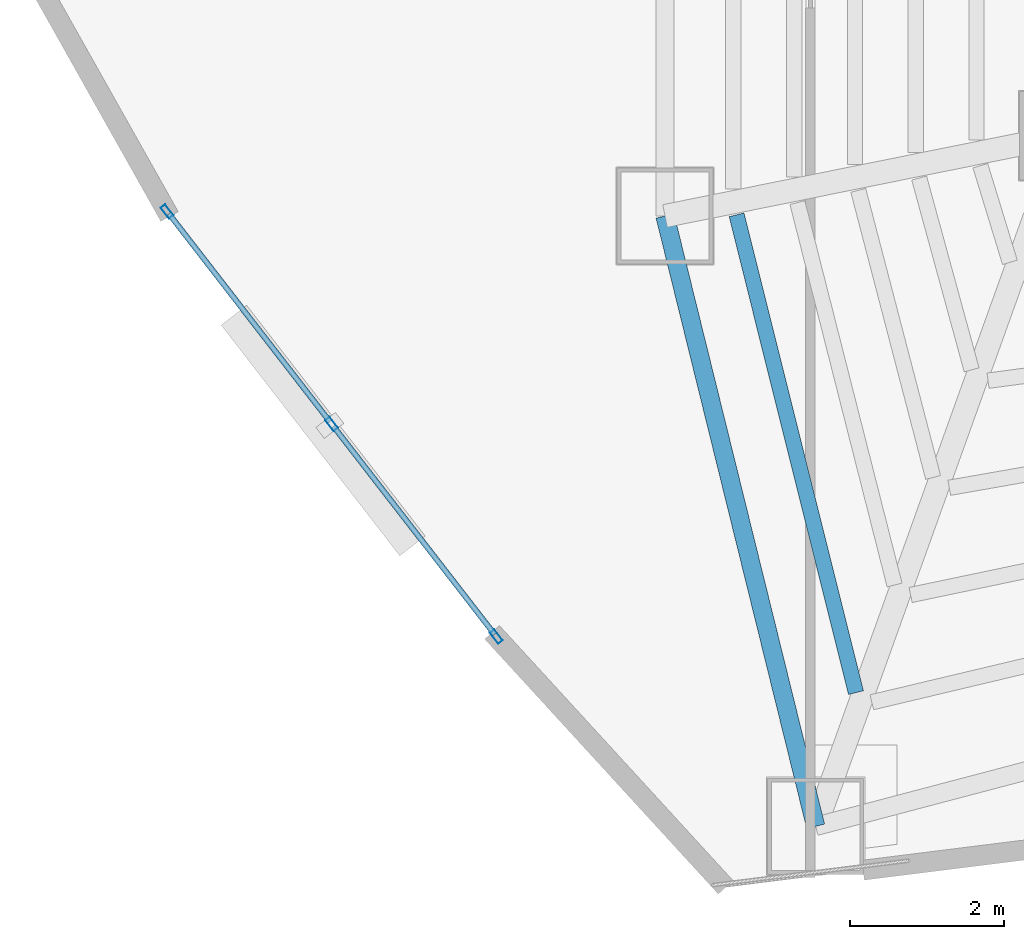
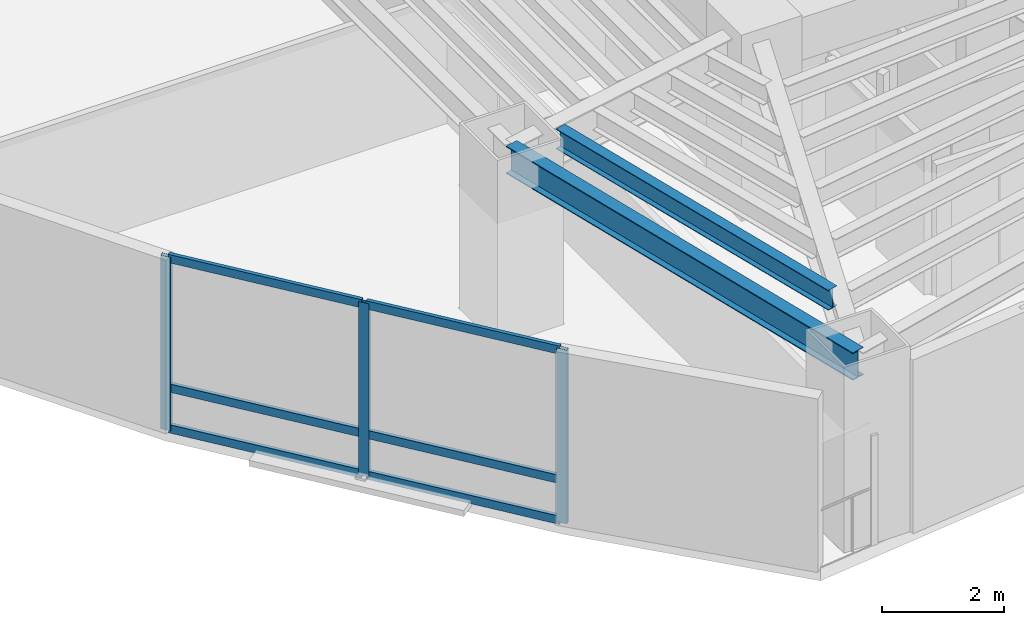
# One storey, part 3 of 23: 9 members, 2 beams, 1 element without a shape of its own.
"""IFC4 building model written with IfcOpenShell, lengths in metres."""

from ifc_helpers import new_model, si_unit, direction, frame, origin, origin_2d, place, context, subcontext, project, spatial, hollow_rectangle, i_section, extrude, material, layer, layer_set, material_profile, profile_set, type_object, element, aggregate, save


model = new_model("IFC4")

# Units and contexts
model_context = context("Model", 3, precision=1e-05, world=origin(), true_north=direction((0.0, 1.0)))
body_context = subcontext(model_context, "Body", "Model", "MODEL_VIEW")
ifc_project = project(units=[si_unit("LENGTHUNIT", "METRE"), si_unit("AREAUNIT", "SQUARE_METRE"), si_unit("VOLUMEUNIT", "CUBIC_METRE"), si_unit("PLANEANGLEUNIT", "RADIAN"), si_unit("MASSUNIT", "GRAM", prefix="KILO")], contexts=[model_context])

# Site, building, storey
site_placement = place(None, origin())
site = spatial("IfcSite", under=ifc_project, at=site_placement, CompositionType="ELEMENT")
building_placement = place(site_placement, origin())
building = spatial("IfcBuilding", under=site, at=building_placement, Name="Menara Vayukalpa", CompositionType="ELEMENT")
storey_placement = place(building_placement, frame((0.0, 0.0, 107.699951171875)))
storey = spatial("IfcBuildingStorey", under=building, at=storey_placement, Name="L26", CompositionType="ELEMENT", Elevation=107.699951171875)

# Beams
ifc_material_1 = material(Name="Steel S355", Category="steel")
ifc_material_profile_1 = material_profile(ifc_material_1, i_section(OverallWidth=0.199951171875, OverallDepth=0.39990234375, WebThickness=0.008056640625, FlangeThickness=0.012939453125, at=origin_2d()), Name="WF 400x200x8x13")
ifc_profile_set_1 = profile_set([ifc_material_profile_1], Name="Steel S355")
beam_type_1 = type_object("IfcBeamType", Name="BM-SJ2", PredefinedType="JOIST", material=ifc_profile_set_1)
beam_1_placement = place(storey_placement, frame((13.53857421875, 16.168701171875, 3.27001953125), z_axis=(0.242481900969, -0.970155929582, 0.0), x_axis=(0.970155929582, 0.242481900969, 0.0)))
element("IfcBeam", 1, at=beam_1_placement, inside=storey, type_object=beam_type_1, Name="L26 Secondary Floor Joist SJ06-5", PredefinedType="JOIST", context=body_context, shape_type="SweptSolid", body=[
    extrude(i_section(OverallWidth=0.199951171875, OverallDepth=0.39990234375, WebThickness=0.008056640625, FlangeThickness=0.012939453125, at=origin_2d()), origin(), (0.0, 0.0, 1.0), 6.41552734375),
])
ifc_material_2 = material(Name="Steel S355", Category="steel")
ifc_material_profile_2 = material_profile(ifc_material_2, i_section(OverallWidth=0.239990234375, OverallDepth=0.550048828125, WebThickness=0.010986328125, FlangeThickness=0.01904296875, at=origin_2d()), Name="WF 550x240x11x19")
ifc_profile_set_2 = profile_set([ifc_material_profile_2], Name="Steel S355")
beam_type_2 = type_object("IfcBeamType", Name="BM-SP2", PredefinedType="SPANDREL", material=ifc_profile_set_2)
beam_2_placement = place(storey_placement, frame((12.606689453125, 16.154296875, 3.195068359375), z_axis=(0.239602739234, -0.970871014786, 0.0), x_axis=(0.970871014786, 0.239602739234, 0.0)))
element("IfcBeam", 2, at=beam_2_placement, inside=storey, type_object=beam_type_2, Name="L26 Perimeter Spandrel Beam SP06", PredefinedType="SPANDREL", context=body_context, shape_type="SweptSolid", body=[
    extrude(i_section(OverallWidth=0.239990234375, OverallDepth=0.550048828125, WebThickness=0.010986328125, FlangeThickness=0.01904296875, at=origin_2d()), origin(), (0.0, 0.0, 1.0), 8.190185546875),
])

# Curtain wall, members
ifc_material_3 = material(Name="Anodised Terracotta Aluminium Alloy 6063-T6", Category="masonry")
ifc_layer = layer(ifc_material_3, 0.179931640625)
ifc_layer_set = layer_set([ifc_layer], Name="Anodised Terracotta Aluminium Alloy 6063-T6")
curtain_wall_type = type_object("IfcCurtainWallType", Name="CW-CW4", PredefinedType="USERDEFINED", material=ifc_layer_set)
curtain_wall_placement = place(storey_placement, origin())
curtain_wall = element("IfcCurtainWall", 3, at=curtain_wall_placement, inside=storey, type_object=curtain_wall_type, Name="L26 Sky Bar Cantilever Glazed Curtain Wall CW4 13", ObjectType="UNITISED", PredefinedType="USERDEFINED")
ifc_material_4 = material(Name="Anodised Terracotta Aluminium Alloy 6063-T6", Category="masonry")
ifc_material_profile_3 = material_profile(ifc_material_4, hollow_rectangle(XDim=0.074951171875, YDim=0.179931640625, WallThickness=0.00390625, at=origin_2d()), Name="ALU 75x180x4")
ifc_profile_set_3 = profile_set([ifc_material_profile_3], Name="Anodised Terracotta Aluminium Alloy 6063-T6")
member_type_1 = type_object("IfcMemberType", Name="CWM-CW4", PredefinedType="MULLION", material=ifc_profile_set_3)
member_1_placement = place(storey_placement, frame((6.11962890625, 16.21337890625, 0.0), z_axis=(0.0, 0.0, 1.0), x_axis=(0.790711577857, 0.612188860273, 0.0)))
member_1 = element("IfcMember", 4, at=member_1_placement, type_object=member_type_1, Name="CW4 mullion 1", PredefinedType="MULLION", context=body_context, shape_type="SweptSolid", body=[
    extrude(hollow_rectangle(XDim=0.074951171875, YDim=0.179931640625, WallThickness=0.00390625, at=origin_2d()), origin(), (0.0, 0.0, 1.0), 3.469970703125),
])
member_2_placement = place(storey_placement, frame((8.263916015625, 13.44384765625, 0.0), z_axis=(0.0, 0.0, 1.0), x_axis=(0.790711577857, 0.612188860273, 0.0)))
member_2 = element("IfcMember", 5, at=member_2_placement, type_object=member_type_1, Name="CW4 mullion 2", PredefinedType="MULLION", context=body_context, shape_type="SweptSolid", body=[
    extrude(hollow_rectangle(XDim=0.074951171875, YDim=0.179931640625, WallThickness=0.00390625, at=origin_2d()), origin(), (0.0, 0.0, 1.0), 3.469970703125),
])
member_3_placement = place(storey_placement, frame((10.408203125, 10.67431640625, 0.0), z_axis=(0.0, 0.0, 1.0), x_axis=(0.790711577857, 0.612188860273, 0.0)))
member_3 = element("IfcMember", 6, at=member_3_placement, type_object=member_type_1, Name="CW4 mullion 3", PredefinedType="MULLION", context=body_context, shape_type="SweptSolid", body=[
    extrude(hollow_rectangle(XDim=0.074951171875, YDim=0.179931640625, WallThickness=0.00390625, at=origin_2d()), origin(), (0.0, 0.0, 1.0), 3.469970703125),
])
ifc_material_5 = material(Name="Anodised Terracotta Aluminium Alloy 6063-T6", Category="masonry")
ifc_material_profile_4 = material_profile(ifc_material_5, hollow_rectangle(XDim=0.070068359375, YDim=0.1650390625, WallThickness=0.00390625, at=origin_2d()), Name="ALU 70x165x4")
ifc_profile_set_4 = profile_set([ifc_material_profile_4], Name="Anodised Terracotta Aluminium Alloy 6063-T6")
member_type_2 = type_object("IfcMemberType", Name="CWT-CW4", PredefinedType="USERDEFINED", material=ifc_profile_set_4)
member_4_placement = place(storey_placement, frame((6.142578125, 16.183837890625, 0.03515625), z_axis=(0.612168883407, -0.790727044047, 0.0), x_axis=(0.790727044047, 0.612168883407, 0.0)))
member_4 = element("IfcMember", 7, at=member_4_placement, type_object=member_type_2, Name="CW4 transom 1.1", ObjectType="TRANSOM", PredefinedType="USERDEFINED", context=body_context, shape_type="SweptSolid", body=[
    extrude(hollow_rectangle(XDim=0.070068359375, YDim=0.1650390625, WallThickness=0.00390625, at=origin_2d()), origin(), (0.0, 0.0, 1.0), 3.427734375),
])
member_5_placement = place(storey_placement, frame((6.142578125, 16.183837890625, 0.85009765625), z_axis=(0.612168883407, -0.790727044047, 0.0), x_axis=(0.790727044047, 0.612168883407, 0.0)))
member_5 = element("IfcMember", 8, at=member_5_placement, type_object=member_type_2, Name="CW4 transom 1.2", ObjectType="TRANSOM", PredefinedType="USERDEFINED", context=body_context, shape_type="SweptSolid", body=[
    extrude(hollow_rectangle(XDim=0.070068359375, YDim=0.1650390625, WallThickness=0.00390625, at=origin_2d()), origin(), (0.0, 0.0, 1.0), 3.427734375),
])
member_6_placement = place(storey_placement, frame((6.142578125, 16.183837890625, 3.43505859375), z_axis=(0.612168883407, -0.790727044047, 0.0), x_axis=(0.790727044047, 0.612168883407, 0.0)))
member_6 = element("IfcMember", 9, at=member_6_placement, type_object=member_type_2, Name="CW4 transom 1.3", ObjectType="TRANSOM", PredefinedType="USERDEFINED", context=body_context, shape_type="SweptSolid", body=[
    extrude(hollow_rectangle(XDim=0.070068359375, YDim=0.1650390625, WallThickness=0.00390625, at=origin_2d()), origin(), (0.0, 0.0, 1.0), 3.427734375),
])
member_7_placement = place(storey_placement, frame((8.286865234375, 13.414306640625, 0.03515625), z_axis=(0.612168883407, -0.790727044047, 0.0), x_axis=(0.790727044047, 0.612168883407, 0.0)))
member_7 = element("IfcMember", 10, at=member_7_placement, type_object=member_type_2, Name="CW4 transom 2.1", ObjectType="TRANSOM", PredefinedType="USERDEFINED", context=body_context, shape_type="SweptSolid", body=[
    extrude(hollow_rectangle(XDim=0.070068359375, YDim=0.1650390625, WallThickness=0.00390625, at=origin_2d()), origin(), (0.0, 0.0, 1.0), 3.427734375),
])
member_8_placement = place(storey_placement, frame((8.286865234375, 13.414306640625, 0.85009765625), z_axis=(0.612168883407, -0.790727044047, 0.0), x_axis=(0.790727044047, 0.612168883407, 0.0)))
member_8 = element("IfcMember", 11, at=member_8_placement, type_object=member_type_2, Name="CW4 transom 2.2", ObjectType="TRANSOM", PredefinedType="USERDEFINED", context=body_context, shape_type="SweptSolid", body=[
    extrude(hollow_rectangle(XDim=0.070068359375, YDim=0.1650390625, WallThickness=0.00390625, at=origin_2d()), origin(), (0.0, 0.0, 1.0), 3.427734375),
])
member_9_placement = place(storey_placement, frame((8.286865234375, 13.414306640625, 3.43505859375), z_axis=(0.612168883407, -0.790727044047, 0.0), x_axis=(0.790727044047, 0.612168883407, 0.0)))
member_9 = element("IfcMember", 12, at=member_9_placement, type_object=member_type_2, Name="CW4 transom 2.3", ObjectType="TRANSOM", PredefinedType="USERDEFINED", context=body_context, shape_type="SweptSolid", body=[
    extrude(hollow_rectangle(XDim=0.070068359375, YDim=0.1650390625, WallThickness=0.00390625, at=origin_2d()), origin(), (0.0, 0.0, 1.0), 3.427734375),
])
aggregate(curtain_wall, [member_1, member_2, member_3, member_4, member_5, member_6, member_7, member_8, member_9])

save(model, "model.ifc")
